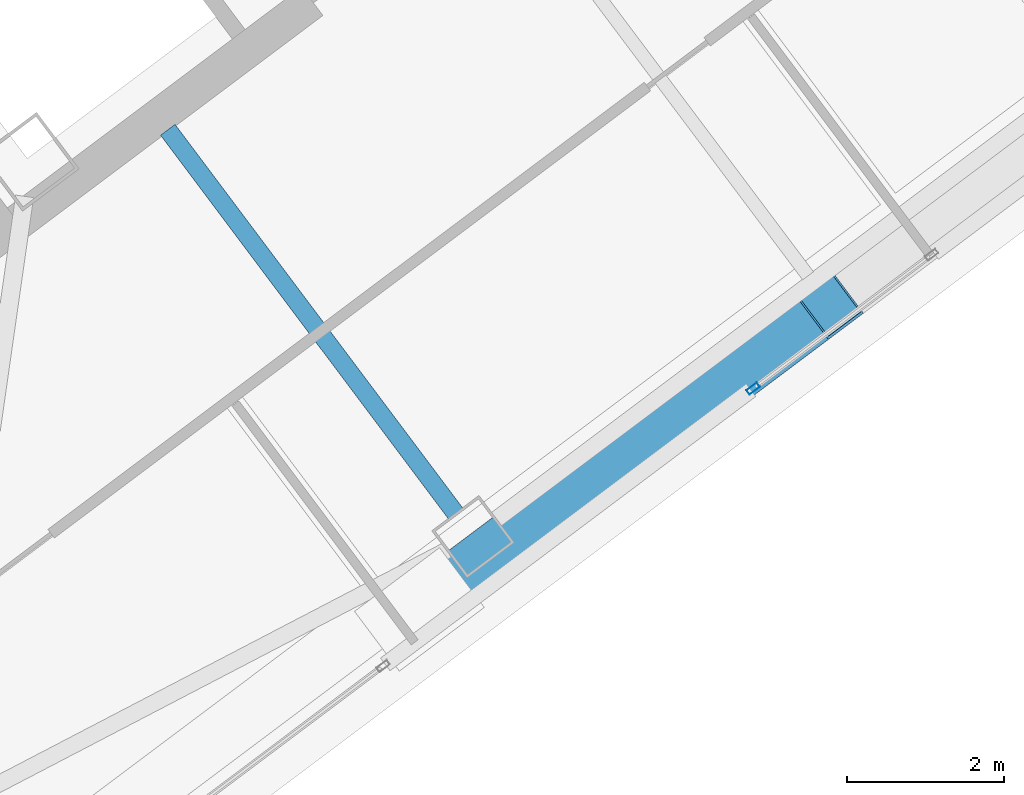
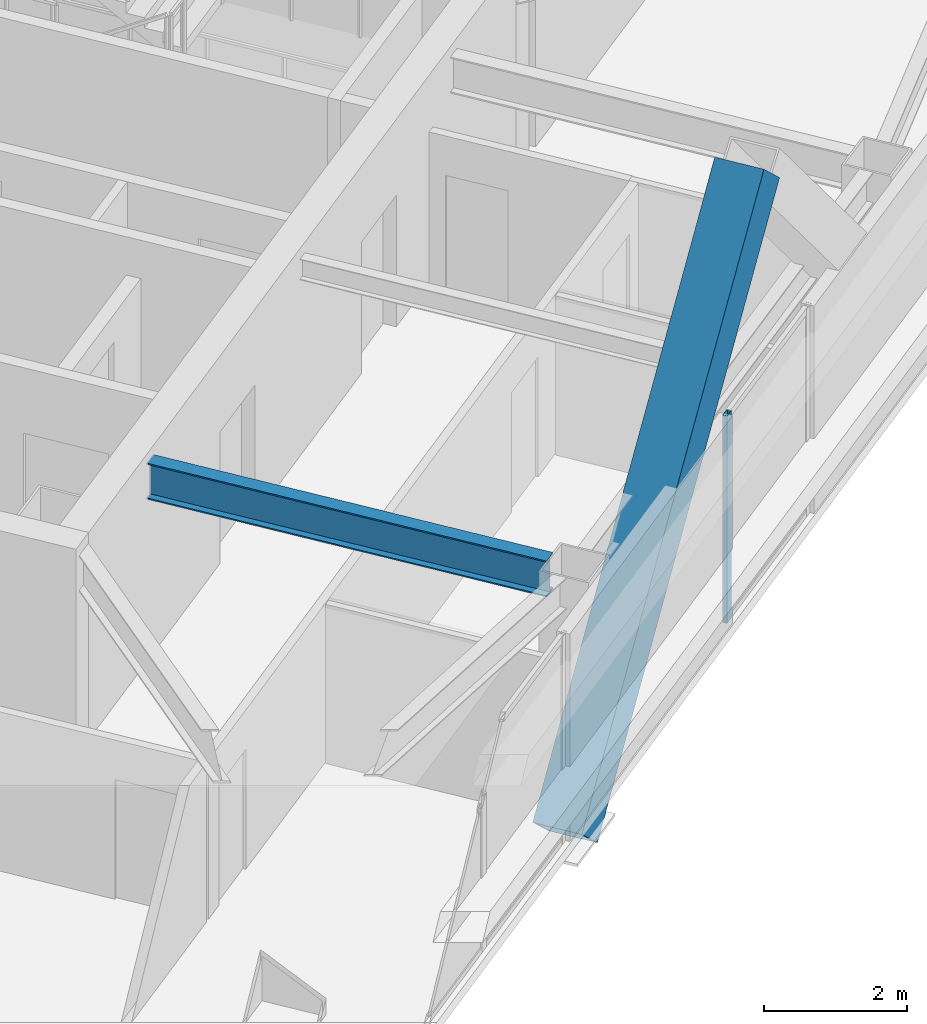
# One storey, part 19 of 39: 2 members, 1 beam, 1 element without a shape of its own.
"""IFC4 building model written with IfcOpenShell, lengths in metres."""

from ifc_helpers import new_model, si_unit, direction, frame, origin, origin_2d, place, context, subcontext, project, spatial, hollow_rectangle, i_section, extrude, material, material_profile, profile_set, type_object, element, aggregate, save


model = new_model("IFC4")

# Units and contexts
model_context = context("Model", 3, precision=1e-05, world=origin(), true_north=direction((0.0, 1.0)))
body_context = subcontext(model_context, "Body", "Model", "MODEL_VIEW")
ifc_project = project(units=[si_unit("LENGTHUNIT", "METRE"), si_unit("AREAUNIT", "SQUARE_METRE"), si_unit("VOLUMEUNIT", "CUBIC_METRE"), si_unit("PLANEANGLEUNIT", "RADIAN"), si_unit("MASSUNIT", "GRAM", prefix="KILO")], contexts=[model_context])

# Site, building, storey
site_placement = place(None, origin())
site = spatial("IfcSite", under=ifc_project, at=site_placement, CompositionType="ELEMENT")
building_placement = place(site_placement, origin())
building = spatial("IfcBuilding", under=site, at=building_placement, Name="Tashvorn Skyway Center", CompositionType="ELEMENT")
storey_placement = place(building_placement, frame((0.0, 0.0, 239.699951171875)))
storey = spatial("IfcBuildingStorey", under=building, at=storey_placement, Name="L65", CompositionType="ELEMENT", Elevation=239.699951171875)

# Beam
ifc_material_1 = material(Name="Steel ASTM A992 Grade 50", Category="steel")
ifc_material_profile_1 = material_profile(ifc_material_1, i_section(OverallWidth=0.22998046875, OverallDepth=0.616943359375, WebThickness=0.01318359375, FlangeThickness=0.022216796875, at=origin_2d()), Name="W24X94")
ifc_profile_set_1 = profile_set([ifc_material_profile_1], Name="Steel ASTM A992 Grade 50")
beam_type = type_object("IfcBeamType", Name="BM-BEAM-W24X94", PredefinedType="BEAM", material=ifc_profile_set_1)
beam_placement = place(storey_placement, frame((118.008056640625, 17.656005859375, 3.0615234375), z_axis=(-0.600025614447, 0.799980788524, 0.0), x_axis=(-0.799980788524, -0.600025614447, 0.0)))
element("IfcBeam", 1, at=beam_placement, inside=storey, type_object=beam_type, Name="Tower 2 L65 Primary Floor Girder FC-S1", PredefinedType="BEAM", context=body_context, shape_type="SweptSolid", body=[
    extrude(i_section(OverallWidth=0.22998046875, OverallDepth=0.616943359375, WebThickness=0.01318359375, FlangeThickness=0.022216796875, at=origin_2d()), origin(), (0.0, 0.0, 1.0), 6.10009765625),
])

# Curtain wall, member
ifc_material_2 = material(Name="Thermally broken bronze-anodized aluminium 6063-T6", Category="aluminium")
curtain_wall_type = type_object("IfcCurtainWallType", Name="CW-CW-Z5", PredefinedType="NOTDEFINED", material=ifc_material_2)
curtain_wall_placement = place(storey_placement, origin())
curtain_wall = element("IfcCurtainWall", 2, at=curtain_wall_placement, inside=storey, type_object=curtain_wall_type, Name="Tower 2 L65 South Unitised Curtain Wall Glazing Group 2", PredefinedType="NOTDEFINED")
ifc_material_profile_2 = material_profile(ifc_material_2, hollow_rectangle(XDim=0.070068359375, YDim=0.1650390625, WallThickness=0.00390625, at=origin_2d()), Name="ALU-MULL-70x165")
ifc_profile_set_2 = profile_set([ifc_material_profile_2], Name="Thermally broken bronze-anodized aluminium 6063-T6")
member_type_1 = type_object("IfcMemberType", Name="CWM-CW-Z5", PredefinedType="MULLION", material=ifc_profile_set_2)
member_1_placement = place(storey_placement, frame((121.793212890625, 19.2451171875, 0.0), z_axis=(0.0, 0.0, 1.0), x_axis=(0.599988990967, -0.800008256656, 0.0)))
member_1 = element("IfcMember", 3, at=member_1_placement, type_object=member_type_1, Name="CW-Z5 mullion 2", PredefinedType="MULLION", context=body_context, shape_type="SweptSolid", body=[
    extrude(hollow_rectangle(XDim=0.070068359375, YDim=0.1650390625, WallThickness=0.00390625, at=origin_2d()), origin(), (0.0, 0.0, 1.0), 3.550048828125),
])
aggregate(curtain_wall, [member_1])

# Member
ifc_material_3 = material(Name="Steel ASTM A572 Grade 50", Category="steel")
ifc_material_profile_3 = material_profile(ifc_material_3, hollow_rectangle(XDim=0.75, YDim=0.75, WallThickness=0.031982421875, at=origin_2d()), Name="BOX750x750x32")
ifc_profile_set_3 = profile_set([ifc_material_profile_3], Name="Steel ASTM A572 Grade 50")
member_type_2 = type_object("IfcMemberType", Name="MEM-MB-750", PredefinedType="BRACE", material=ifc_profile_set_3)
member_2_placement = place(storey_placement, frame((117.548095703125, 16.43603515625, -0.449951171875), z_axis=(0.536083060048, 0.402056002686, 0.742270788482), x_axis=(-0.599993990277, 0.800004507257, 0.0)))
element("IfcMember", 4, at=member_2_placement, inside=storey, type_object=member_type_2, Name="Tower 2 Zone 6 S Chevron Mega-Brace L2", PredefinedType="BRACE", context=body_context, shape_type="SweptSolid", body=[
    extrude(hollow_rectangle(XDim=0.75, YDim=0.75, WallThickness=0.031982421875, at=origin_2d()), origin(), (0.0, 0.0, 1.0), 9.699951171875),
])

save(model, "model.ifc")
